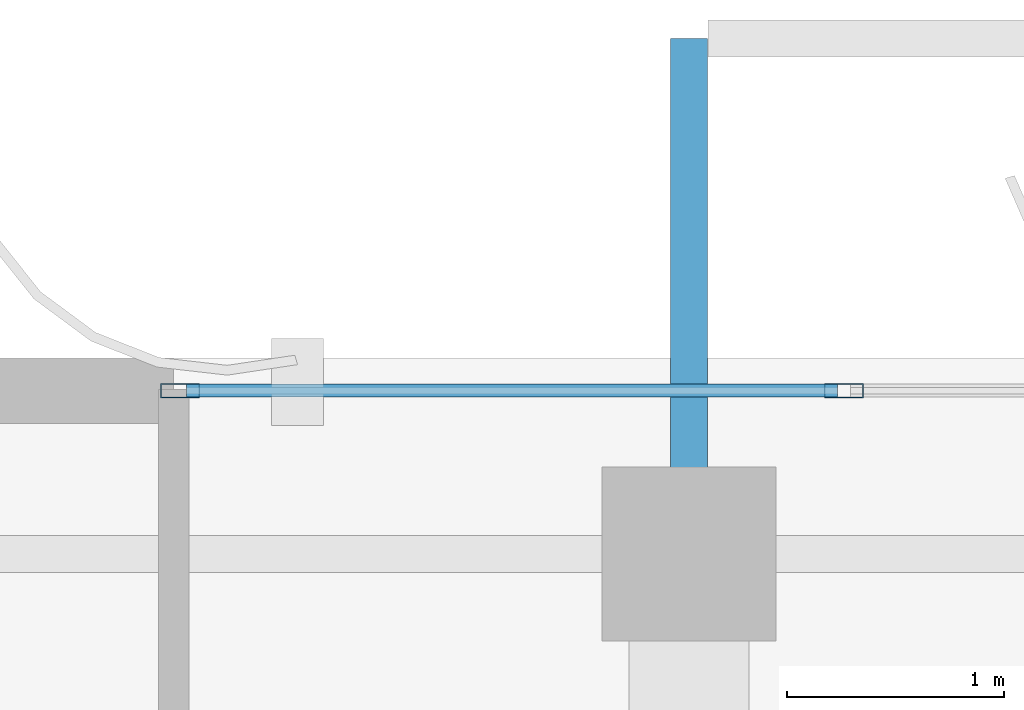
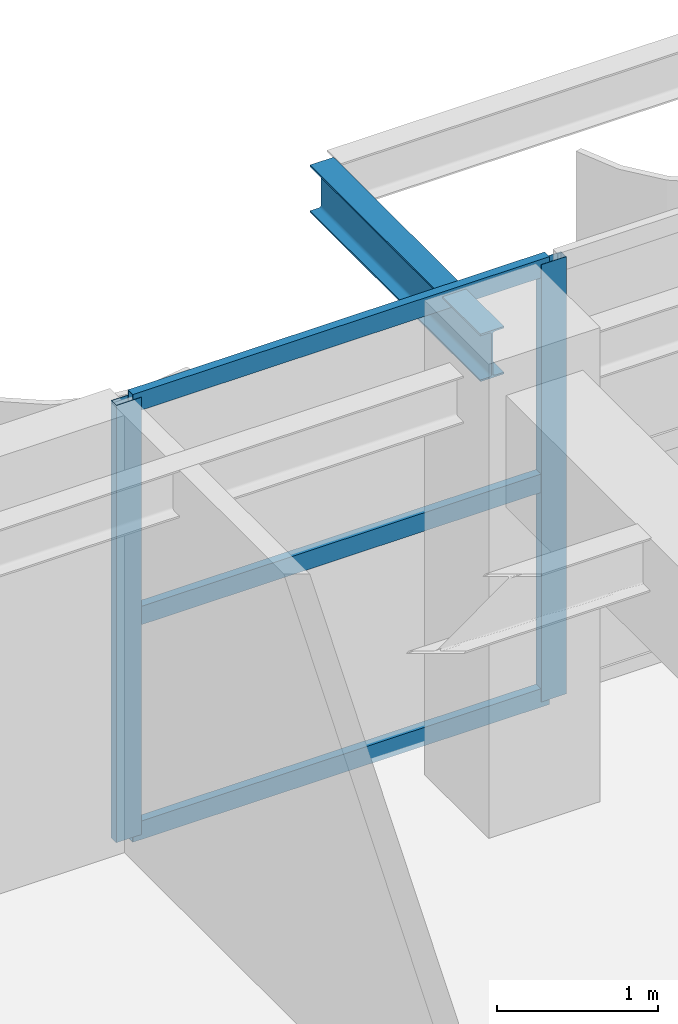
# One storey, part 14 of 23: 5 members, 1 beam, 1 element without a shape of its own.
"""IFC4 building model written with IfcOpenShell, lengths in metres."""

from ifc_helpers import new_model, si_unit, direction, frame, origin, origin_2d, place, context, subcontext, project, spatial, hollow_rectangle, i_section, extrude, source, transform, mapped, material, layer, layer_set, material_profile, profile_set, type_object, element, aggregate, save


model = new_model("IFC4")

# Units and contexts
model_context = context("Model", 3, precision=1e-05, world=origin(), true_north=direction((0.0, 1.0)))
body_context = subcontext(model_context, "Body", "Model", "MODEL_VIEW")
ifc_project = project(units=[si_unit("LENGTHUNIT", "METRE"), si_unit("AREAUNIT", "SQUARE_METRE"), si_unit("VOLUMEUNIT", "CUBIC_METRE"), si_unit("PLANEANGLEUNIT", "RADIAN"), si_unit("MASSUNIT", "GRAM", prefix="KILO")], contexts=[model_context])

# Site, building, storey
site_placement = place(None, origin())
site = spatial("IfcSite", under=ifc_project, at=site_placement, CompositionType="ELEMENT")
building_placement = place(site_placement, origin())
building = spatial("IfcBuilding", under=site, at=building_placement, Name="Khoralis Quay Care Tower", CompositionType="ELEMENT")
storey_placement = place(building_placement, frame((0.0, 0.0, 270.89990234375)))
storey = spatial("IfcBuildingStorey", under=building, at=storey_placement, Name="L71", CompositionType="ELEMENT", Elevation=270.89990234375)

# Curtain wall, members
ifc_material_1 = material(Name="Pale anodised aluminium", Category="aluminium")
ifc_layer = layer(ifc_material_1, 0.159912109375)
ifc_layer_set = layer_set([ifc_layer], Name="Pale anodised aluminium")
curtain_wall_type = type_object("IfcCurtainWallType", Name="CW-SYS-Z3", PredefinedType="NOTDEFINED", material=ifc_layer_set)
curtain_wall_placement = place(storey_placement, origin())
curtain_wall = element("IfcCurtainWall", 1, at=curtain_wall_placement, inside=storey, type_object=curtain_wall_type, Name="L71 Unitised Curtain Wall CW-L71-P1-E10", PredefinedType="NOTDEFINED")
ifc_material_profile_1 = material_profile(ifc_material_1, hollow_rectangle(XDim=0.06494140625, YDim=0.179931640625, WallThickness=0.00390625, at=origin_2d()), Name="Pale anodised aluminium")
ifc_profile_set_1 = profile_set([ifc_material_profile_1], Name="Pale anodised aluminium")
member_type_1 = type_object("IfcMemberType", Name="CW-MUL-180", PredefinedType="MULLION", material=ifc_profile_set_1)
shared_shape_1 = source(origin(), body_context, "Body", "SweptSolid", [
    extrude(hollow_rectangle(XDim=0.06494140625, YDim=0.179931640625, WallThickness=0.00390625, at=origin_2d()), origin(), (0.0, 0.0, 1.0), 3.320068359375),
])
member_1_placement = place(storey_placement, frame((17.8125, 41.85009765625, 0.0), z_axis=(0.0, 0.0, 1.0), x_axis=(0.0, -1.0, 0.0)))
member_1 = element("IfcMember", 2, at=member_1_placement, type_object=member_type_1, Name="CW3 mullion 4", PredefinedType="MULLION", context=body_context, shape_type="MappedRepresentation", body=[
    mapped(shared_shape_1, transform((0.0, 0.0, 0.0), scale=1.0)),
])
member_2_placement = place(storey_placement, frame((14.760009765625, 41.85009765625, 0.0), z_axis=(0.0, 0.0, 1.0), x_axis=(0.0, -1.0, 0.0)))
member_2 = element("IfcMember", 3, at=member_2_placement, type_object=member_type_1, Name="CW3 mullion 5", PredefinedType="MULLION", context=body_context, shape_type="MappedRepresentation", body=[
    mapped(shared_shape_1, transform((0.0, 0.0, 0.0), scale=1.0)),
])

# Beam
ifc_material_2 = material(Name="Steel S355", Category="steel")
ifc_material_profile_2 = material_profile(ifc_material_2, i_section(OverallWidth=0.169921875, OverallDepth=0.360107421875, WebThickness=0.008056640625, FlangeThickness=0.0126953125, FilletRadius=0.01806640625, at=origin_2d()), Name="Steel S355")
ifc_profile_set_2 = profile_set([ifc_material_profile_2], Name="Steel S355")
beam_type = type_object("IfcBeamType", Name="BM-IPE360", PredefinedType="SPANDREL", material=ifc_profile_set_2)
shared_shape_2 = source(origin(), body_context, "Body", "SweptSolid", [
    extrude(i_section(OverallWidth=0.169921875, OverallDepth=0.360107421875, WebThickness=0.008056640625, FlangeThickness=0.0126953125, FilletRadius=0.01806640625, at=origin_2d()), origin(), (0.0, 0.0, 1.0), 2.119873046875),
])
beam_placement = place(storey_placement, frame((17.10009765625, 41.35009765625, 3.14404296875), z_axis=(0.0, 1.0, 0.0), x_axis=(-1.0, 0.0, 0.0)))
element("IfcBeam", 4, at=beam_placement, inside=storey, type_object=beam_type, Name="L72 Balcony Cantilever Outrigger Beam 1", PredefinedType="SPANDREL", context=body_context, shape_type="MappedRepresentation", body=[
    mapped(shared_shape_2, transform((0.0, 0.0, 0.0), scale=1.0)),
])

# Member
ifc_material_profile_3 = material_profile(ifc_material_1, hollow_rectangle(XDim=0.06005859375, YDim=0.139892578125, WallThickness=0.00390625, at=origin_2d()), Name="Pale anodised aluminium")
ifc_profile_set_3 = profile_set([ifc_material_profile_3], Name="Pale anodised aluminium")
member_type_2 = type_object("IfcMemberType", Name="CW-TRN-140", PredefinedType="USERDEFINED", material=ifc_profile_set_3)
shared_shape_3 = source(origin(), body_context, "Body", "SweptSolid", [
    extrude(hollow_rectangle(XDim=0.06005859375, YDim=0.139892578125, WallThickness=0.00390625, at=origin_2d()), origin(), (0.0, 0.0, 1.0), 2.992431640625),
])
member_3_placement = place(storey_placement, frame((17.782470703125, 41.85009765625, 0.030029296875), z_axis=(-1.0, 0.0, 0.0), x_axis=(0.0, -1.0, 0.0)))
member_3 = element("IfcMember", 5, at=member_3_placement, type_object=member_type_2, Name="CW3 transom 4.1", ObjectType="TRANSOM", PredefinedType="USERDEFINED", context=body_context, shape_type="MappedRepresentation", body=[
    mapped(shared_shape_3, transform((0.0, 0.0, 0.0), scale=1.0)),
])

member_4_placement = place(storey_placement, frame((17.782470703125, 41.85009765625, 1.66015625), z_axis=(-1.0, 0.0, 0.0), x_axis=(0.0, -1.0, 0.0)))
member_4 = element("IfcMember", 6, at=member_4_placement, type_object=member_type_2, Name="CW3 transom 4.2", ObjectType="TRANSOM", PredefinedType="USERDEFINED", context=body_context, shape_type="MappedRepresentation", body=[
    mapped(shared_shape_3, transform((0.0, 0.0, 0.0), scale=1.0)),
])

member_5_placement = place(storey_placement, frame((17.782470703125, 41.85009765625, 3.2900390625), z_axis=(-1.0, 0.0, 0.0), x_axis=(0.0, -1.0, 0.0)))
member_5 = element("IfcMember", 7, at=member_5_placement, type_object=member_type_2, Name="CW3 transom 4.3", ObjectType="TRANSOM", PredefinedType="USERDEFINED", context=body_context, shape_type="MappedRepresentation", body=[
    mapped(shared_shape_3, transform((0.0, 0.0, 0.0), scale=1.0)),
])

aggregate(curtain_wall, [member_1, member_2, member_3, member_4, member_5])

save(model, "model.ifc")
